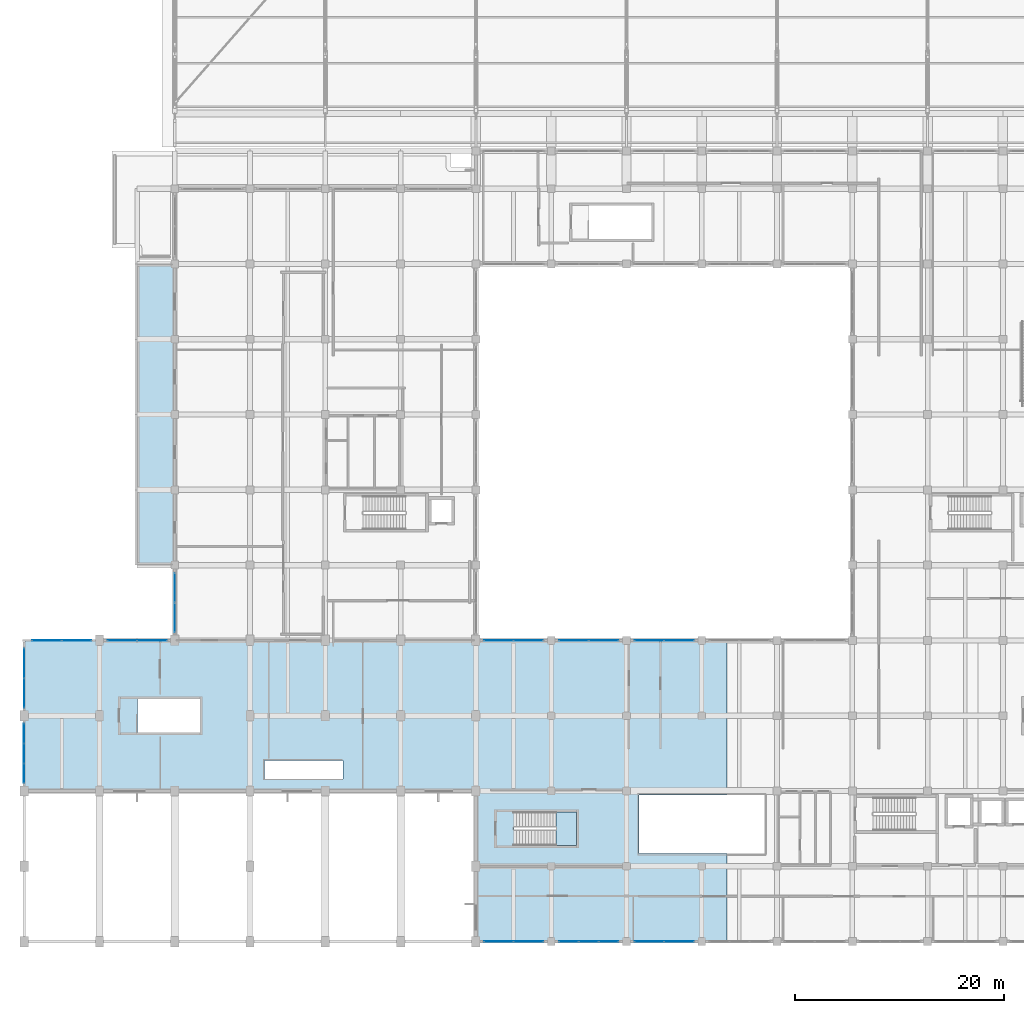
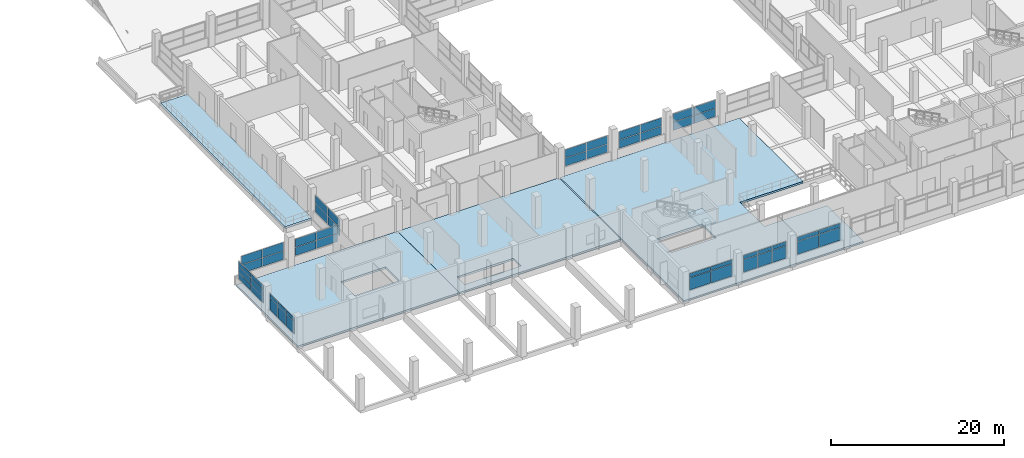
# One storey, part 112 of 141: 50 plates, 5 slabs, 12 elements without a shape of their own.
"""IFC4 building model written with IfcOpenShell, lengths in metres."""

from ifc_helpers import new_model, si_unit, direction, frame, origin, origin_2d, place, context, subcontext, project, spatial, polyline, rectangle, outline, extrude, material, layer, layer_set, type_object, element, aggregate, save


model = new_model("IFC4")

# Units and contexts
model_context = context("Model", 3, precision=1e-05, world=origin(), true_north=direction((0.0, 1.0)))
body_context = subcontext(model_context, "Body", "Model", "MODEL_VIEW")
ifc_project = project(units=[si_unit("LENGTHUNIT", "METRE"), si_unit("AREAUNIT", "SQUARE_METRE"), si_unit("VOLUMEUNIT", "CUBIC_METRE"), si_unit("PLANEANGLEUNIT", "RADIAN"), si_unit("MASSUNIT", "GRAM", prefix="KILO")], contexts=[model_context])

# Site, building, storey
site_placement = place(None, origin())
site = spatial("IfcSite", under=ifc_project, at=site_placement, CompositionType="ELEMENT")
building_placement = place(site_placement, origin())
building = spatial("IfcBuilding", under=site, at=building_placement, Name="Seraya Terrace Polytechnic", CompositionType="ELEMENT")
storey_placement = place(building_placement, frame((0.0, 0.0, 14.39990234375)))
storey = spatial("IfcBuildingStorey", under=building, at=storey_placement, Name="L03", CompositionType="ELEMENT", Elevation=14.39990234375)

# Curtain wall, plates
ifc_material_1 = material(Name="Anodised aluminium EN AW-6063 T6", Category="aluminium")
ifc_layer_1 = layer(ifc_material_1, 0.179931640625, Name="CW-34")
ifc_layer_set_1 = layer_set([ifc_layer_1], Name="Anodised aluminium EN AW-6063 T6")
curtain_wall_type_1 = type_object("IfcCurtainWallType", Name="CW-34", PredefinedType="NOTDEFINED", material=ifc_layer_set_1)
curtain_wall_1_placement = place(storey_placement, origin())
curtain_wall_1 = element("IfcCurtainWall", 1, at=curtain_wall_1_placement, inside=storey, type_object=curtain_wall_type_1, Name="Unitised curtain wall CW-34 (CW-L03-106)", PredefinedType="NOTDEFINED")
ifc_material_2 = material(Name="Laminated solar-control Low-E double glazing", Category="glass")
ifc_layer_2 = layer(ifc_material_2, 0.028076171875, Name="CWP-01")
ifc_layer_set_2 = layer_set([ifc_layer_2], Name="Laminated solar-control Low-E double glazing")
plate_type_1 = type_object("IfcPlateType", Name="CWP-01", PredefinedType="CURTAIN_PANEL", material=ifc_layer_set_2)
plate_1_placement = place(storey_placement, frame((55.90380859375, 0.0, 1.300048828125), z_axis=(0.0, 0.0, 1.0), x_axis=(-1.0, 0.0, 0.0)))
plate_1 = element("IfcPlate", 2, at=plate_1_placement, type_object=plate_type_1, Name="CW-34 panel 1.1", PredefinedType="CURTAIN_PANEL", context=body_context, shape_type="SweptSolid", body=[
    extrude(rectangle(XDim=1.822509765625, YDim=0.028076171875, at=origin_2d()), origin(), (0.0, 0.0, 1.0), 1.75),
])
plate_2_placement = place(storey_placement, frame((55.90380859375, 0.0, 3.10986328125), z_axis=(0.0, 0.0, 1.0), x_axis=(-1.0, 0.0, 0.0)))
plate_2 = element("IfcPlate", 3, at=plate_2_placement, type_object=plate_type_1, Name="CW-34 panel 1.2", PredefinedType="CURTAIN_PANEL", context=body_context, shape_type="SweptSolid", body=[
    extrude(rectangle(XDim=1.822509765625, YDim=0.028076171875, at=origin_2d()), origin(), (0.0, 0.0, 1.0), 0.530029296875),
])
plate_3_placement = place(storey_placement, frame((54.0, 0.0, 1.300048828125), z_axis=(0.0, 0.0, 1.0), x_axis=(-1.0, 0.0, 0.0)))
plate_3 = element("IfcPlate", 4, at=plate_3_placement, type_object=plate_type_1, Name="CW-34 panel 2.1", PredefinedType="CURTAIN_PANEL", context=body_context, shape_type="SweptSolid", body=[
    extrude(rectangle(XDim=1.85498046875, YDim=0.028076171875, at=origin_2d()), origin(), (0.0, 0.0, 1.0), 1.75),
])
plate_4_placement = place(storey_placement, frame((54.0, 0.0, 3.10986328125), z_axis=(0.0, 0.0, 1.0), x_axis=(-1.0, 0.0, 0.0)))
plate_4 = element("IfcPlate", 5, at=plate_4_placement, type_object=plate_type_1, Name="CW-34 panel 2.2", PredefinedType="CURTAIN_PANEL", context=body_context, shape_type="SweptSolid", body=[
    extrude(rectangle(XDim=1.85498046875, YDim=0.028076171875, at=origin_2d()), origin(), (0.0, 0.0, 1.0), 0.530029296875),
])
plate_5_placement = place(storey_placement, frame((52.09619140625, 0.0, 1.300048828125), z_axis=(0.0, 0.0, 1.0), x_axis=(-1.0, 0.0, 0.0)))
plate_5 = element("IfcPlate", 6, at=plate_5_placement, type_object=plate_type_1, Name="CW-34 panel 3.1", PredefinedType="CURTAIN_PANEL", context=body_context, shape_type="SweptSolid", body=[
    extrude(rectangle(XDim=1.822509765625, YDim=0.028076171875, at=origin_2d()), origin(), (0.0, 0.0, 1.0), 1.75),
])
plate_6_placement = place(storey_placement, frame((52.09619140625, 0.0, 3.10986328125), z_axis=(0.0, 0.0, 1.0), x_axis=(-1.0, 0.0, 0.0)))
plate_6 = element("IfcPlate", 7, at=plate_6_placement, type_object=plate_type_1, Name="CW-34 panel 3.2", PredefinedType="CURTAIN_PANEL", context=body_context, shape_type="SweptSolid", body=[
    extrude(rectangle(XDim=1.822509765625, YDim=0.028076171875, at=origin_2d()), origin(), (0.0, 0.0, 1.0), 0.530029296875),
])
aggregate(curtain_wall_1, [plate_1, plate_2, plate_3, plate_4, plate_5, plate_6])

ifc_layer_3 = layer(ifc_material_1, 0.179931640625, Name="CW-01")
ifc_layer_set_3 = layer_set([ifc_layer_3], Name="Anodised aluminium EN AW-6063 T6")
curtain_wall_type_2 = type_object("IfcCurtainWallType", Name="CW-01", PredefinedType="NOTDEFINED", material=ifc_layer_set_3)
curtain_wall_2_placement = place(storey_placement, origin())
curtain_wall_2 = element("IfcCurtainWall", 8, at=curtain_wall_2_placement, inside=storey, type_object=curtain_wall_type_2, Name="Unitised curtain wall CW-01 (CW-L03-109)", PredefinedType="NOTDEFINED")
plate_7_placement = place(storey_placement, frame((0.0, 23.7763671875, 1.300048828125), z_axis=(0.0, 0.0, 1.0), x_axis=(0.0, 1.0, 0.0)))
plate_7 = element("IfcPlate", 9, at=plate_7_placement, type_object=plate_type_1, Name="CW-01 panel 1.1", PredefinedType="CURTAIN_PANEL", context=body_context, shape_type="SweptSolid", body=[
    extrude(rectangle(XDim=2.782470703125, YDim=0.028076171875, at=origin_2d()), origin(), (0.0, 0.0, 1.0), 0.8388671875),
])
plate_8_placement = place(storey_placement, frame((0.0, 23.7763671875, 2.19873046875), z_axis=(0.0, 0.0, 1.0), x_axis=(0.0, 1.0, 0.0)))
plate_8 = element("IfcPlate", 10, at=plate_8_placement, type_object=plate_type_1, Name="CW-01 panel 1.2", PredefinedType="CURTAIN_PANEL", context=body_context, shape_type="SweptSolid", body=[
    extrude(rectangle(XDim=2.782470703125, YDim=0.028076171875, at=origin_2d()), origin(), (0.0, 0.0, 1.0), 0.868896484375),
])
plate_9_placement = place(storey_placement, frame((0.0, 23.7763671875, 3.127685546875), z_axis=(0.0, 0.0, 1.0), x_axis=(0.0, 1.0, 0.0)))
plate_9 = element("IfcPlate", 11, at=plate_9_placement, type_object=plate_type_1, Name="CW-01 panel 1.3", PredefinedType="CURTAIN_PANEL", context=body_context, shape_type="SweptSolid", body=[
    extrude(rectangle(XDim=2.782470703125, YDim=0.028076171875, at=origin_2d()), origin(), (0.0, 0.0, 1.0), 0.63232421875),
])
plate_10_placement = place(storey_placement, frame((0.0, 26.623779296875, 1.300048828125), z_axis=(0.0, 0.0, 1.0), x_axis=(0.0, 1.0, 0.0)))
plate_10 = element("IfcPlate", 12, at=plate_10_placement, type_object=plate_type_1, Name="CW-01 panel 2.1", PredefinedType="CURTAIN_PANEL", context=body_context, shape_type="SweptSolid", body=[
    extrude(rectangle(XDim=2.782470703125, YDim=0.028076171875, at=origin_2d()), origin(), (0.0, 0.0, 1.0), 0.8388671875),
])
plate_11_placement = place(storey_placement, frame((0.0, 26.623779296875, 2.19873046875), z_axis=(0.0, 0.0, 1.0), x_axis=(0.0, 1.0, 0.0)))
plate_11 = element("IfcPlate", 13, at=plate_11_placement, type_object=plate_type_1, Name="CW-01 panel 2.2", PredefinedType="CURTAIN_PANEL", context=body_context, shape_type="SweptSolid", body=[
    extrude(rectangle(XDim=2.782470703125, YDim=0.028076171875, at=origin_2d()), origin(), (0.0, 0.0, 1.0), 0.868896484375),
])
plate_12_placement = place(storey_placement, frame((0.0, 26.623779296875, 3.127685546875), z_axis=(0.0, 0.0, 1.0), x_axis=(0.0, 1.0, 0.0)))
plate_12 = element("IfcPlate", 14, at=plate_12_placement, type_object=plate_type_1, Name="CW-01 panel 2.3", PredefinedType="CURTAIN_PANEL", context=body_context, shape_type="SweptSolid", body=[
    extrude(rectangle(XDim=2.782470703125, YDim=0.028076171875, at=origin_2d()), origin(), (0.0, 0.0, 1.0), 0.63232421875),
])
aggregate(curtain_wall_2, [plate_7, plate_8, plate_9, plate_10, plate_11, plate_12])

ifc_layer_4 = layer(ifc_material_1, 0.179931640625, Name="CW-04")
ifc_layer_set_4 = layer_set([ifc_layer_4], Name="Anodised aluminium EN AW-6063 T6")
curtain_wall_type_3 = type_object("IfcCurtainWallType", Name="CW-04", PredefinedType="NOTDEFINED", material=ifc_layer_set_4)
curtain_wall_3_placement = place(storey_placement, origin())
curtain_wall_3 = element("IfcCurtainWall", 15, at=curtain_wall_3_placement, inside=storey, type_object=curtain_wall_type_3, Name="Unitised curtain wall CW-04 (CW-L03-112)", PredefinedType="NOTDEFINED")
plate_13_placement = place(storey_placement, frame((14.39990234375, 30.976318359375, 1.30029296875), z_axis=(0.0, 0.0, 1.0), x_axis=(0.0, 1.0, 0.0)))
plate_13 = element("IfcPlate", 16, at=plate_13_placement, type_object=plate_type_1, Name="CW-04 panel 1.1", PredefinedType="CURTAIN_PANEL", context=body_context, shape_type="SweptSolid", body=[
    extrude(rectangle(XDim=2.782470703125, YDim=0.028076171875, at=origin_2d()), origin(), (0.0, 0.0, 1.0), 1.139892578125),
])
plate_14_placement = place(storey_placement, frame((14.39990234375, 30.976318359375, 2.5), z_axis=(0.0, 0.0, 1.0), x_axis=(0.0, 1.0, 0.0)))
plate_14 = element("IfcPlate", 17, at=plate_14_placement, type_object=plate_type_1, Name="CW-04 panel 1.2", PredefinedType="CURTAIN_PANEL", context=body_context, shape_type="SweptSolid", body=[
    extrude(rectangle(XDim=2.782470703125, YDim=0.028076171875, at=origin_2d()), origin(), (0.0, 0.0, 1.0), 1.139892578125),
])
plate_15_placement = place(storey_placement, frame((14.39990234375, 33.82373046875, 1.30029296875), z_axis=(0.0, 0.0, 1.0), x_axis=(0.0, 1.0, 0.0)))
plate_15 = element("IfcPlate", 18, at=plate_15_placement, type_object=plate_type_1, Name="CW-04 panel 2.1", PredefinedType="CURTAIN_PANEL", context=body_context, shape_type="SweptSolid", body=[
    extrude(rectangle(XDim=2.782470703125, YDim=0.028076171875, at=origin_2d()), origin(), (0.0, 0.0, 1.0), 1.139892578125),
])
plate_16_placement = place(storey_placement, frame((14.39990234375, 33.82373046875, 2.5), z_axis=(0.0, 0.0, 1.0), x_axis=(0.0, 1.0, 0.0)))
plate_16 = element("IfcPlate", 19, at=plate_16_placement, type_object=plate_type_1, Name="CW-04 panel 2.2", PredefinedType="CURTAIN_PANEL", context=body_context, shape_type="SweptSolid", body=[
    extrude(rectangle(XDim=2.782470703125, YDim=0.028076171875, at=origin_2d()), origin(), (0.0, 0.0, 1.0), 1.139892578125),
])
aggregate(curtain_wall_3, [plate_13, plate_14, plate_15, plate_16])

ifc_layer_5 = layer(ifc_material_1, 0.179931640625, Name="CW-07")
ifc_layer_set_5 = layer_set([ifc_layer_5], Name="Anodised aluminium EN AW-6063 T6")
curtain_wall_type_4 = type_object("IfcCurtainWallType", Name="CW-07", PredefinedType="NOTDEFINED", material=ifc_layer_set_5)
curtain_wall_4_placement = place(storey_placement, origin())
curtain_wall_4 = element("IfcCurtainWall", 20, at=curtain_wall_4_placement, inside=storey, type_object=curtain_wall_type_4, Name="Unitised curtain wall CW-07 (CW-L03-151)", PredefinedType="NOTDEFINED")
plate_17_placement = place(storey_placement, frame((45.376220703125, 28.800048828125, 1.300048828125), z_axis=(0.0, 0.0, 1.0), x_axis=(1.0, 0.0, 0.0)))
plate_17 = element("IfcPlate", 21, at=plate_17_placement, type_object=plate_type_1, Name="CW-07 panel 1.1", PredefinedType="CURTAIN_PANEL", context=body_context, shape_type="SweptSolid", body=[
    extrude(rectangle(XDim=2.782470703125, YDim=0.028076171875, at=origin_2d()), origin(), (0.0, 0.0, 1.0), 1.1298828125),
])
plate_18_placement = place(storey_placement, frame((45.376220703125, 28.800048828125, 2.490234375), z_axis=(0.0, 0.0, 1.0), x_axis=(1.0, 0.0, 0.0)))
plate_18 = element("IfcPlate", 22, at=plate_18_placement, type_object=plate_type_1, Name="CW-07 panel 1.2", PredefinedType="CURTAIN_PANEL", context=body_context, shape_type="SweptSolid", body=[
    extrude(rectangle(XDim=2.782470703125, YDim=0.028076171875, at=origin_2d()), origin(), (0.0, 0.0, 1.0), 1.1298828125),
])
plate_19_placement = place(storey_placement, frame((48.2236328125, 28.800048828125, 1.300048828125), z_axis=(0.0, 0.0, 1.0), x_axis=(1.0, 0.0, 0.0)))
plate_19 = element("IfcPlate", 23, at=plate_19_placement, type_object=plate_type_1, Name="CW-07 panel 2.1", PredefinedType="CURTAIN_PANEL", context=body_context, shape_type="SweptSolid", body=[
    extrude(rectangle(XDim=2.782470703125, YDim=0.028076171875, at=origin_2d()), origin(), (0.0, 0.0, 1.0), 1.1298828125),
])
plate_20_placement = place(storey_placement, frame((48.2236328125, 28.800048828125, 2.490234375), z_axis=(0.0, 0.0, 1.0), x_axis=(1.0, 0.0, 0.0)))
plate_20 = element("IfcPlate", 24, at=plate_20_placement, type_object=plate_type_1, Name="CW-07 panel 2.2", PredefinedType="CURTAIN_PANEL", context=body_context, shape_type="SweptSolid", body=[
    extrude(rectangle(XDim=2.782470703125, YDim=0.028076171875, at=origin_2d()), origin(), (0.0, 0.0, 1.0), 1.1298828125),
])
aggregate(curtain_wall_4, [plate_17, plate_18, plate_19, plate_20])

ifc_layer_6 = layer(ifc_material_1, 0.179931640625, Name="CW-35")
ifc_layer_set_6 = layer_set([ifc_layer_6], Name="Anodised aluminium EN AW-6063 T6")
curtain_wall_type_5 = type_object("IfcCurtainWallType", Name="CW-35", PredefinedType="NOTDEFINED", material=ifc_layer_set_6)
curtain_wall_5_placement = place(storey_placement, origin())
curtain_wall_5 = element("IfcCurtainWall", 25, at=curtain_wall_5_placement, inside=storey, type_object=curtain_wall_type_5, Name="Unitised curtain wall CW-35 (CW-L03-107)", PredefinedType="NOTDEFINED")
ifc_layer_7 = layer(ifc_material_2, 0.031982421875, Name="CWP-02")
ifc_layer_set_7 = layer_set([ifc_layer_7], Name="Laminated solar-control Low-E double glazing")
plate_type_2 = type_object("IfcPlateType", Name="CWP-02", PredefinedType="CURTAIN_PANEL", material=ifc_layer_set_7)
plate_21_placement = place(storey_placement, frame((48.22509765625, 0.0, 1.300048828125), z_axis=(0.0, 0.0, 1.0), x_axis=(-1.0, 0.0, 0.0)))
plate_21 = element("IfcPlate", 26, at=plate_21_placement, type_object=plate_type_2, Name="CW-35 panel 1.1", PredefinedType="CURTAIN_PANEL", context=body_context, shape_type="SweptSolid", body=[
    extrude(rectangle(XDim=2.7900390625, YDim=0.031982421875, at=origin_2d()), origin(), (0.0, 0.0, 1.0), 1.7099609375),
])
plate_22_placement = place(storey_placement, frame((48.22509765625, 0.0, 3.0703125), z_axis=(0.0, 0.0, 1.0), x_axis=(-1.0, 0.0, 0.0)))
plate_22 = element("IfcPlate", 27, at=plate_22_placement, type_object=plate_type_2, Name="CW-35 panel 1.2", PredefinedType="CURTAIN_PANEL", context=body_context, shape_type="SweptSolid", body=[
    extrude(rectangle(XDim=2.7900390625, YDim=0.031982421875, at=origin_2d()), origin(), (0.0, 0.0, 1.0), 0.530029296875),
])
plate_23_placement = place(storey_placement, frame((45.375, 0.0, 1.300048828125), z_axis=(0.0, 0.0, 1.0), x_axis=(-1.0, 0.0, 0.0)))
plate_23 = element("IfcPlate", 28, at=plate_23_placement, type_object=plate_type_2, Name="CW-35 panel 2.1", PredefinedType="CURTAIN_PANEL", context=body_context, shape_type="SweptSolid", body=[
    extrude(rectangle(XDim=2.7900390625, YDim=0.031982421875, at=origin_2d()), origin(), (0.0, 0.0, 1.0), 1.7099609375),
])
plate_24_placement = place(storey_placement, frame((45.375, 0.0, 3.0703125), z_axis=(0.0, 0.0, 1.0), x_axis=(-1.0, 0.0, 0.0)))
plate_24 = element("IfcPlate", 29, at=plate_24_placement, type_object=plate_type_2, Name="CW-35 panel 2.2", PredefinedType="CURTAIN_PANEL", context=body_context, shape_type="SweptSolid", body=[
    extrude(rectangle(XDim=2.7900390625, YDim=0.031982421875, at=origin_2d()), origin(), (0.0, 0.0, 1.0), 0.530029296875),
])
aggregate(curtain_wall_5, [plate_21, plate_22, plate_23, plate_24])

ifc_layer_8 = layer(ifc_material_1, 0.179931640625, Name="CW-02")
ifc_layer_set_8 = layer_set([ifc_layer_8], Name="Anodised aluminium EN AW-6063 T6")
curtain_wall_type_6 = type_object("IfcCurtainWallType", Name="CW-02", PredefinedType="NOTDEFINED", material=ifc_layer_set_8)
curtain_wall_6_placement = place(storey_placement, origin())
curtain_wall_6 = element("IfcCurtainWall", 30, at=curtain_wall_6_placement, inside=storey, type_object=curtain_wall_type_6, Name="Unitised curtain wall CW-02 (CW-L03-110)", PredefinedType="NOTDEFINED")
plate_25_placement = place(storey_placement, frame((2.175048828125, 28.800048828125, 1.30029296875), z_axis=(0.0, 0.0, 1.0), x_axis=(1.0, 0.0, 0.0)))
plate_25 = element("IfcPlate", 31, at=plate_25_placement, type_object=plate_type_2, Name="CW-02 panel 1.1", PredefinedType="CURTAIN_PANEL", context=body_context, shape_type="SweptSolid", body=[
    extrude(rectangle(XDim=2.7900390625, YDim=0.031982421875, at=origin_2d()), origin(), (0.0, 0.0, 1.0), 1.179931640625),
])
plate_26_placement = place(storey_placement, frame((2.175048828125, 28.800048828125, 2.5400390625), z_axis=(0.0, 0.0, 1.0), x_axis=(1.0, 0.0, 0.0)))
plate_26 = element("IfcPlate", 32, at=plate_26_placement, type_object=plate_type_2, Name="CW-02 panel 1.2", PredefinedType="CURTAIN_PANEL", context=body_context, shape_type="SweptSolid", body=[
    extrude(rectangle(XDim=2.7900390625, YDim=0.031982421875, at=origin_2d()), origin(), (0.0, 0.0, 1.0), 1.179931640625),
])
plate_27_placement = place(storey_placement, frame((5.02490234375, 28.800048828125, 1.30029296875), z_axis=(0.0, 0.0, 1.0), x_axis=(1.0, 0.0, 0.0)))
plate_27 = element("IfcPlate", 33, at=plate_27_placement, type_object=plate_type_2, Name="CW-02 panel 2.1", PredefinedType="CURTAIN_PANEL", context=body_context, shape_type="SweptSolid", body=[
    extrude(rectangle(XDim=2.7900390625, YDim=0.031982421875, at=origin_2d()), origin(), (0.0, 0.0, 1.0), 1.179931640625),
])
plate_28_placement = place(storey_placement, frame((5.02490234375, 28.800048828125, 2.5400390625), z_axis=(0.0, 0.0, 1.0), x_axis=(1.0, 0.0, 0.0)))
plate_28 = element("IfcPlate", 34, at=plate_28_placement, type_object=plate_type_2, Name="CW-02 panel 2.2", PredefinedType="CURTAIN_PANEL", context=body_context, shape_type="SweptSolid", body=[
    extrude(rectangle(XDim=2.7900390625, YDim=0.031982421875, at=origin_2d()), origin(), (0.0, 0.0, 1.0), 1.179931640625),
])
aggregate(curtain_wall_6, [plate_25, plate_26, plate_27, plate_28])

ifc_layer_9 = layer(ifc_material_1, 0.179931640625, Name="CW-08")
ifc_layer_set_9 = layer_set([ifc_layer_9], Name="Anodised aluminium EN AW-6063 T6")
curtain_wall_type_7 = type_object("IfcCurtainWallType", Name="CW-08", PredefinedType="NOTDEFINED", material=ifc_layer_set_9)
curtain_wall_7_placement = place(storey_placement, origin())
curtain_wall_7 = element("IfcCurtainWall", 35, at=curtain_wall_7_placement, inside=storey, type_object=curtain_wall_type_7, Name="Unitised curtain wall CW-08 (CW-L03-152)", PredefinedType="NOTDEFINED")
plate_29_placement = place(storey_placement, frame((52.574951171875, 28.800048828125, 1.300048828125), z_axis=(0.0, 0.0, 1.0), x_axis=(1.0, 0.0, 0.0)))
plate_29 = element("IfcPlate", 36, at=plate_29_placement, type_object=plate_type_2, Name="CW-08 panel 1.1", PredefinedType="CURTAIN_PANEL", context=body_context, shape_type="SweptSolid", body=[
    extrude(rectangle(XDim=2.7900390625, YDim=0.031982421875, at=origin_2d()), origin(), (0.0, 0.0, 1.0), 1.1298828125),
])
plate_30_placement = place(storey_placement, frame((52.574951171875, 28.800048828125, 2.490234375), z_axis=(0.0, 0.0, 1.0), x_axis=(1.0, 0.0, 0.0)))
plate_30 = element("IfcPlate", 37, at=plate_30_placement, type_object=plate_type_2, Name="CW-08 panel 1.2", PredefinedType="CURTAIN_PANEL", context=body_context, shape_type="SweptSolid", body=[
    extrude(rectangle(XDim=2.7900390625, YDim=0.031982421875, at=origin_2d()), origin(), (0.0, 0.0, 1.0), 1.1298828125),
])
plate_31_placement = place(storey_placement, frame((55.425048828125, 28.800048828125, 1.300048828125), z_axis=(0.0, 0.0, 1.0), x_axis=(1.0, 0.0, 0.0)))
plate_31 = element("IfcPlate", 38, at=plate_31_placement, type_object=plate_type_2, Name="CW-08 panel 2.1", PredefinedType="CURTAIN_PANEL", context=body_context, shape_type="SweptSolid", body=[
    extrude(rectangle(XDim=2.7900390625, YDim=0.031982421875, at=origin_2d()), origin(), (0.0, 0.0, 1.0), 1.1298828125),
])
plate_32_placement = place(storey_placement, frame((55.425048828125, 28.800048828125, 2.490234375), z_axis=(0.0, 0.0, 1.0), x_axis=(1.0, 0.0, 0.0)))
plate_32 = element("IfcPlate", 39, at=plate_32_placement, type_object=plate_type_2, Name="CW-08 panel 2.2", PredefinedType="CURTAIN_PANEL", context=body_context, shape_type="SweptSolid", body=[
    extrude(rectangle(XDim=2.7900390625, YDim=0.031982421875, at=origin_2d()), origin(), (0.0, 0.0, 1.0), 1.1298828125),
])
aggregate(curtain_wall_7, [plate_29, plate_30, plate_31, plate_32])

ifc_layer_10 = layer(ifc_material_1, 0.179931640625, Name="CW-33")
ifc_layer_set_10 = layer_set([ifc_layer_10], Name="Anodised aluminium EN AW-6063 T6")
curtain_wall_type_8 = type_object("IfcCurtainWallType", Name="CW-33", PredefinedType="NOTDEFINED", material=ifc_layer_set_10)
curtain_wall_8_placement = place(storey_placement, origin())
curtain_wall_8 = element("IfcCurtainWall", 40, at=curtain_wall_8_placement, inside=storey, type_object=curtain_wall_type_8, Name="Unitised curtain wall CW-33 (CW-L03-105)", PredefinedType="NOTDEFINED")
ifc_layer_11 = layer(ifc_material_2, 0.035888671875, Name="CWP-03")
ifc_layer_set_11 = layer_set([ifc_layer_11], Name="Laminated solar-control Low-E double glazing")
plate_type_3 = type_object("IfcPlateType", Name="CWP-03", PredefinedType="CURTAIN_PANEL", material=ifc_layer_set_11)
plate_33_placement = place(storey_placement, frame((62.625, 0.0, 1.294921875), z_axis=(0.0, 0.0, 1.0), x_axis=(-1.0, 0.0, 0.0)))
plate_33 = element("IfcPlate", 41, at=plate_33_placement, type_object=plate_type_3, Name="CW-33 panel 1.1", PredefinedType="CURTAIN_PANEL", context=body_context, shape_type="SweptSolid", body=[
    extrude(rectangle(XDim=2.7900390625, YDim=0.035888671875, at=origin_2d()), origin(), (0.0, 0.0, 1.0), 1.797607421875),
])
plate_34_placement = place(storey_placement, frame((62.625, 0.0, 3.1474609375), z_axis=(0.0, 0.0, 1.0), x_axis=(-1.0, 0.0, 0.0)))
plate_34 = element("IfcPlate", 42, at=plate_34_placement, type_object=plate_type_3, Name="CW-33 panel 1.2", PredefinedType="CURTAIN_PANEL", context=body_context, shape_type="SweptSolid", body=[
    extrude(rectangle(XDim=2.7900390625, YDim=0.035888671875, at=origin_2d()), origin(), (0.0, 0.0, 1.0), 0.53759765625),
])
plate_35_placement = place(storey_placement, frame((59.77490234375, 0.0, 1.294921875), z_axis=(0.0, 0.0, 1.0), x_axis=(-1.0, 0.0, 0.0)))
plate_35 = element("IfcPlate", 43, at=plate_35_placement, type_object=plate_type_3, Name="CW-33 panel 2.1", PredefinedType="CURTAIN_PANEL", context=body_context, shape_type="SweptSolid", body=[
    extrude(rectangle(XDim=2.7900390625, YDim=0.035888671875, at=origin_2d()), origin(), (0.0, 0.0, 1.0), 1.797607421875),
])
plate_36_placement = place(storey_placement, frame((59.77490234375, 0.0, 3.1474609375), z_axis=(0.0, 0.0, 1.0), x_axis=(-1.0, 0.0, 0.0)))
plate_36 = element("IfcPlate", 44, at=plate_36_placement, type_object=plate_type_3, Name="CW-33 panel 2.2", PredefinedType="CURTAIN_PANEL", context=body_context, shape_type="SweptSolid", body=[
    extrude(rectangle(XDim=2.7900390625, YDim=0.035888671875, at=origin_2d()), origin(), (0.0, 0.0, 1.0), 0.53759765625),
])
aggregate(curtain_wall_8, [plate_33, plate_34, plate_35, plate_36])

ifc_layer_12 = layer(ifc_material_1, 0.179931640625, Name="CW-36")
ifc_layer_set_12 = layer_set([ifc_layer_12], Name="Anodised aluminium EN AW-6063 T6")
curtain_wall_type_9 = type_object("IfcCurtainWallType", Name="CW-36", PredefinedType="NOTDEFINED", material=ifc_layer_set_12)
curtain_wall_9_placement = place(storey_placement, origin())
curtain_wall_9 = element("IfcCurtainWall", 45, at=curtain_wall_9_placement, inside=storey, type_object=curtain_wall_type_9, Name="Unitised curtain wall CW-36 (CW-L03-108)", PredefinedType="NOTDEFINED")
plate_37_placement = place(storey_placement, frame((0.0, 16.094970703125, 1.294921875), z_axis=(0.0, 0.0, 1.0), x_axis=(0.0, 1.0, 0.0)))
plate_37 = element("IfcPlate", 46, at=plate_37_placement, type_object=plate_type_3, Name="CW-36 panel 1.1", PredefinedType="CURTAIN_PANEL", context=body_context, shape_type="SweptSolid", body=[
    extrude(rectangle(XDim=1.830078125, YDim=0.035888671875, at=origin_2d()), origin(), (0.0, 0.0, 1.0), 1.677490234375),
])
plate_38_placement = place(storey_placement, frame((0.0, 16.094970703125, 3.027587890625), z_axis=(0.0, 0.0, 1.0), x_axis=(0.0, 1.0, 0.0)))
plate_38 = element("IfcPlate", 47, at=plate_38_placement, type_object=plate_type_3, Name="CW-36 panel 1.2", PredefinedType="CURTAIN_PANEL", context=body_context, shape_type="SweptSolid", body=[
    extrude(rectangle(XDim=1.830078125, YDim=0.035888671875, at=origin_2d()), origin(), (0.0, 0.0, 1.0), 0.53759765625),
])
plate_39_placement = place(storey_placement, frame((0.0, 18.0, 1.294921875), z_axis=(0.0, 0.0, 1.0), x_axis=(0.0, 1.0, 0.0)))
plate_39 = element("IfcPlate", 48, at=plate_39_placement, type_object=plate_type_3, Name="CW-36 panel 2.1", PredefinedType="CURTAIN_PANEL", context=body_context, shape_type="SweptSolid", body=[
    extrude(rectangle(XDim=1.860107421875, YDim=0.035888671875, at=origin_2d()), origin(), (0.0, 0.0, 1.0), 1.677490234375),
])
plate_40_placement = place(storey_placement, frame((0.0, 18.0, 3.027587890625), z_axis=(0.0, 0.0, 1.0), x_axis=(0.0, 1.0, 0.0)))
plate_40 = element("IfcPlate", 49, at=plate_40_placement, type_object=plate_type_3, Name="CW-36 panel 2.2", PredefinedType="CURTAIN_PANEL", context=body_context, shape_type="SweptSolid", body=[
    extrude(rectangle(XDim=1.860107421875, YDim=0.035888671875, at=origin_2d()), origin(), (0.0, 0.0, 1.0), 0.53759765625),
])
plate_41_placement = place(storey_placement, frame((0.0, 19.905029296875, 1.294921875), z_axis=(0.0, 0.0, 1.0), x_axis=(0.0, 1.0, 0.0)))
plate_41 = element("IfcPlate", 50, at=plate_41_placement, type_object=plate_type_3, Name="CW-36 panel 3.1", PredefinedType="CURTAIN_PANEL", context=body_context, shape_type="SweptSolid", body=[
    extrude(rectangle(XDim=1.830078125, YDim=0.035888671875, at=origin_2d()), origin(), (0.0, 0.0, 1.0), 1.677490234375),
])
plate_42_placement = place(storey_placement, frame((0.0, 19.905029296875, 3.027587890625), z_axis=(0.0, 0.0, 1.0), x_axis=(0.0, 1.0, 0.0)))
plate_42 = element("IfcPlate", 51, at=plate_42_placement, type_object=plate_type_3, Name="CW-36 panel 3.2", PredefinedType="CURTAIN_PANEL", context=body_context, shape_type="SweptSolid", body=[
    extrude(rectangle(XDim=1.830078125, YDim=0.035888671875, at=origin_2d()), origin(), (0.0, 0.0, 1.0), 0.53759765625),
])
aggregate(curtain_wall_9, [plate_37, plate_38, plate_39, plate_40, plate_41, plate_42])

ifc_layer_13 = layer(ifc_material_1, 0.179931640625, Name="CW-03")
ifc_layer_set_13 = layer_set([ifc_layer_13], Name="Anodised aluminium EN AW-6063 T6")
curtain_wall_type_10 = type_object("IfcCurtainWallType", Name="CW-03", PredefinedType="NOTDEFINED", material=ifc_layer_set_13)
curtain_wall_10_placement = place(storey_placement, origin())
curtain_wall_10 = element("IfcCurtainWall", 52, at=curtain_wall_10_placement, inside=storey, type_object=curtain_wall_type_10, Name="Unitised curtain wall CW-03 (CW-L03-111)", PredefinedType="NOTDEFINED")
plate_43_placement = place(storey_placement, frame((9.375, 28.800048828125, 1.294921875), z_axis=(0.0, 0.0, 1.0), x_axis=(1.0, 0.0, 0.0)))
plate_43 = element("IfcPlate", 53, at=plate_43_placement, type_object=plate_type_3, Name="CW-03 panel 1.1", PredefinedType="CURTAIN_PANEL", context=body_context, shape_type="SweptSolid", body=[
    extrude(rectangle(XDim=2.7900390625, YDim=0.035888671875, at=origin_2d()), origin(), (0.0, 0.0, 1.0), 1.137451171875),
])
plate_44_placement = place(storey_placement, frame((9.375, 28.800048828125, 2.48779296875), z_axis=(0.0, 0.0, 1.0), x_axis=(1.0, 0.0, 0.0)))
plate_44 = element("IfcPlate", 54, at=plate_44_placement, type_object=plate_type_3, Name="CW-03 panel 1.2", PredefinedType="CURTAIN_PANEL", context=body_context, shape_type="SweptSolid", body=[
    extrude(rectangle(XDim=2.7900390625, YDim=0.035888671875, at=origin_2d()), origin(), (0.0, 0.0, 1.0), 1.137451171875),
])
plate_45_placement = place(storey_placement, frame((12.22509765625, 28.800048828125, 1.294921875), z_axis=(0.0, 0.0, 1.0), x_axis=(1.0, 0.0, 0.0)))
plate_45 = element("IfcPlate", 55, at=plate_45_placement, type_object=plate_type_3, Name="CW-03 panel 2.1", PredefinedType="CURTAIN_PANEL", context=body_context, shape_type="SweptSolid", body=[
    extrude(rectangle(XDim=2.7900390625, YDim=0.035888671875, at=origin_2d()), origin(), (0.0, 0.0, 1.0), 1.137451171875),
])
plate_46_placement = place(storey_placement, frame((12.22509765625, 28.800048828125, 2.48779296875), z_axis=(0.0, 0.0, 1.0), x_axis=(1.0, 0.0, 0.0)))
plate_46 = element("IfcPlate", 56, at=plate_46_placement, type_object=plate_type_3, Name="CW-03 panel 2.2", PredefinedType="CURTAIN_PANEL", context=body_context, shape_type="SweptSolid", body=[
    extrude(rectangle(XDim=2.7900390625, YDim=0.035888671875, at=origin_2d()), origin(), (0.0, 0.0, 1.0), 1.137451171875),
])
aggregate(curtain_wall_10, [plate_43, plate_44, plate_45, plate_46])

ifc_layer_14 = layer(ifc_material_1, 0.179931640625, Name="CW-09")
ifc_layer_set_14 = layer_set([ifc_layer_14], Name="Anodised aluminium EN AW-6063 T6")
curtain_wall_type_11 = type_object("IfcCurtainWallType", Name="CW-09", PredefinedType="NOTDEFINED", material=ifc_layer_set_14)
curtain_wall_11_placement = place(storey_placement, origin())
curtain_wall_11 = element("IfcCurtainWall", 57, at=curtain_wall_11_placement, inside=storey, type_object=curtain_wall_type_11, Name="Unitised curtain wall CW-09 (CW-L03-153)", PredefinedType="NOTDEFINED")
plate_47_placement = place(storey_placement, frame((59.77490234375, 28.800048828125, 1.294921875), z_axis=(0.0, 0.0, 1.0), x_axis=(1.0, 0.0, 0.0)))
plate_47 = element("IfcPlate", 58, at=plate_47_placement, type_object=plate_type_3, Name="CW-09 panel 1.1", PredefinedType="CURTAIN_PANEL", context=body_context, shape_type="SweptSolid", body=[
    extrude(rectangle(XDim=2.7900390625, YDim=0.035888671875, at=origin_2d()), origin(), (0.0, 0.0, 1.0), 1.137451171875),
])
plate_48_placement = place(storey_placement, frame((59.77490234375, 28.800048828125, 2.48779296875), z_axis=(0.0, 0.0, 1.0), x_axis=(1.0, 0.0, 0.0)))
plate_48 = element("IfcPlate", 59, at=plate_48_placement, type_object=plate_type_3, Name="CW-09 panel 1.2", PredefinedType="CURTAIN_PANEL", context=body_context, shape_type="SweptSolid", body=[
    extrude(rectangle(XDim=2.7900390625, YDim=0.035888671875, at=origin_2d()), origin(), (0.0, 0.0, 1.0), 1.137451171875),
])
plate_49_placement = place(storey_placement, frame((62.625, 28.800048828125, 1.294921875), z_axis=(0.0, 0.0, 1.0), x_axis=(1.0, 0.0, 0.0)))
plate_49 = element("IfcPlate", 60, at=plate_49_placement, type_object=plate_type_3, Name="CW-09 panel 2.1", PredefinedType="CURTAIN_PANEL", context=body_context, shape_type="SweptSolid", body=[
    extrude(rectangle(XDim=2.7900390625, YDim=0.035888671875, at=origin_2d()), origin(), (0.0, 0.0, 1.0), 1.137451171875),
])
plate_50_placement = place(storey_placement, frame((62.625, 28.800048828125, 2.48779296875), z_axis=(0.0, 0.0, 1.0), x_axis=(1.0, 0.0, 0.0)))
plate_50 = element("IfcPlate", 61, at=plate_50_placement, type_object=plate_type_3, Name="CW-09 panel 2.2", PredefinedType="CURTAIN_PANEL", context=body_context, shape_type="SweptSolid", body=[
    extrude(rectangle(XDim=2.7900390625, YDim=0.035888671875, at=origin_2d()), origin(), (0.0, 0.0, 1.0), 1.137451171875),
])
aggregate(curtain_wall_11, [plate_47, plate_48, plate_49, plate_50])

# Slabs
ifc_material_3 = material(Name="Concrete C40/50", Category="concrete")
ifc_layer_15 = layer(ifc_material_3, 0.27001953125, Name="FS-05")
ifc_layer_set_15 = layer_set([ifc_layer_15], Name="Concrete C40/50")
slab_type_1 = type_object("IfcSlabType", Name="FS-05", PredefinedType="FLOOR", material=ifc_layer_set_15)
slab_1_placement = place(storey_placement, frame((0.0, 0.0, -0.27001953125)))
element("IfcSlab", 62, at=slab_1_placement, inside=storey, type_object=slab_type_1, Name="Floor slab SLB-V3-LECT-L03-S1 (FS-05)", PredefinedType="FLOOR", context=body_context, shape_type="SweptSolid", body=[
    extrude(outline(polyline([(0.06005859375, 28.739990234375), (21.60009765625, 28.739990234375), (21.60009765625, 14.4599609375), (0.06005859375, 14.4599609375), (0.06005859375, 28.739990234375)]), holes=[polyline([(10.840087890625, 23.199951171875), (10.840087890625, 20.0), (16.800048828125, 20.0), (16.800048828125, 23.199951171875), (10.840087890625, 23.199951171875)])]), origin(), (0.0, 0.0, 1.0), 0.27001953125),
])
slab_2_placement = place(storey_placement, frame((0.0, 0.0, -0.27001953125)))
element("IfcSlab", 63, at=slab_2_placement, inside=storey, type_object=slab_type_1, Name="Floor slab SLB-V3-LECT-L03-S2 (FS-05)", PredefinedType="FLOOR", context=body_context, shape_type="SweptSolid", body=[
    extrude(outline(polyline([(43.139892578125, 28.739990234375), (43.139892578125, 14.4599609375), (21.60498046875, 14.4599609375), (21.60498046875, 28.739990234375), (43.139892578125, 28.739990234375)]), holes=[polyline([(22.9599609375, 17.330078125), (22.9599609375, 15.550048828125), (30.47998046875, 15.550048828125), (30.47998046875, 17.330078125), (22.9599609375, 17.330078125)])]), origin(), (0.0, 0.0, 1.0), 0.27001953125),
])
ifc_layer_16 = layer(ifc_material_3, 0.260009765625, Name="FS-08")
ifc_layer_set_16 = layer_set([ifc_layer_16], Name="Concrete C40/50")
slab_type_2 = type_object("IfcSlabType", Name="FS-08", PredefinedType="FLOOR", material=ifc_layer_set_16)
slab_3_placement = place(storey_placement, frame((0.0, 0.0, -0.260009765625)))
element("IfcSlab", 64, at=slab_3_placement, inside=storey, type_object=slab_type_2, Name="Floor slab SLB-V2-SOUTH-L03-S1 (FS-08)", PredefinedType="FLOOR", context=body_context, shape_type="SweptSolid", body=[
    extrude(outline(polyline([(67.199951171875, 0.06005859375), (43.260009765625, 0.06005859375), (43.260009765625, 28.739990234375), (67.199951171875, 28.739990234375), (67.199951171875, 14.0), (58.800048828125, 14.0), (58.800048828125, 8.39990234375), (67.199951171875, 8.39990234375), (67.199951171875, 0.06005859375)]), holes=[polyline([(52.800048828125, 12.39990234375), (46.840087890625, 12.39990234375), (46.840087890625, 9.199951171875), (52.800048828125, 9.199951171875), (52.800048828125, 12.39990234375)])]), origin(), (0.0, 0.0, 1.0), 0.260009765625),
])

# Stair, slab
stair_type = type_object("IfcStairType", Name="ST-T2", PredefinedType="HALF_TURN_STAIR", material=ifc_material_3)
stair_placement = place(storey_placement, origin())
stair = element("IfcStair", 65, at=stair_placement, inside=storey, type_object=stair_type, Name="L03 Protected exit stair ST-03", PredefinedType="HALF_TURN_STAIR")
ifc_layer_17 = layer(ifc_material_3, 0.199951171875, Name="SL-01")
ifc_layer_set_17 = layer_set([ifc_layer_17], Name="Concrete C40/50")
slab_type_3 = type_object("IfcSlabType", Name="SL-01", PredefinedType="LANDING", material=ifc_layer_set_17)
slab_4_placement = place(storey_placement, frame((0.0, 0.0, 2.050048828125)))
slab_4 = element("IfcSlab", 66, at=slab_4_placement, type_object=slab_type_3, Name="ST-03 landing 1", PredefinedType="LANDING", context=body_context, shape_type="SweptSolid", body=[
    extrude(outline(polyline([(50.860107421875, 9.199951171875), (52.800048828125, 9.199951171875), (52.800048828125, 12.39990234375), (50.860107421875, 12.39990234375), (50.860107421875, 9.199951171875)])), origin(), (0.0, 0.0, 1.0), 0.199951171875),
])
aggregate(stair, [slab_4])

# Slab
ifc_layer_18 = layer(ifc_material_3, 0.31005859375, Name="TS-02")
ifc_layer_set_18 = layer_set([ifc_layer_18], Name="Concrete C40/50")
slab_type_4 = type_object("IfcSlabType", Name="TS-02", PredefinedType="FLOOR", material=ifc_layer_set_18)
slab_5_placement = place(storey_placement, frame((0.0, 0.0, -0.309814453125)))
element("IfcSlab", 67, at=slab_5_placement, inside=storey, type_object=slab_type_4, Name="Planted study terrace slab TERR-L03-W", PredefinedType="FLOOR", context=body_context, shape_type="SweptSolid", body=[
    extrude(outline(polyline([(10.800048828125, 36.0), (10.800048828125, 64.800048828125), (14.39990234375, 64.800048828125), (14.39990234375, 36.0), (10.800048828125, 36.0)])), origin(), (0.0, 0.0, 1.0), 0.309814453125),
])

save(model, "model.ifc")
